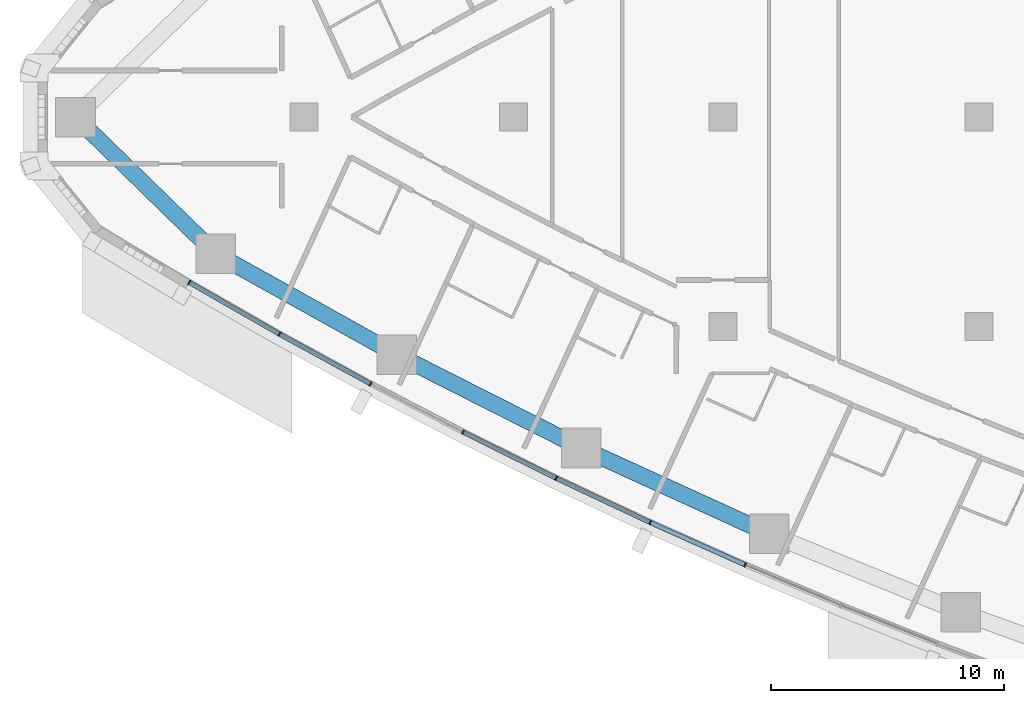
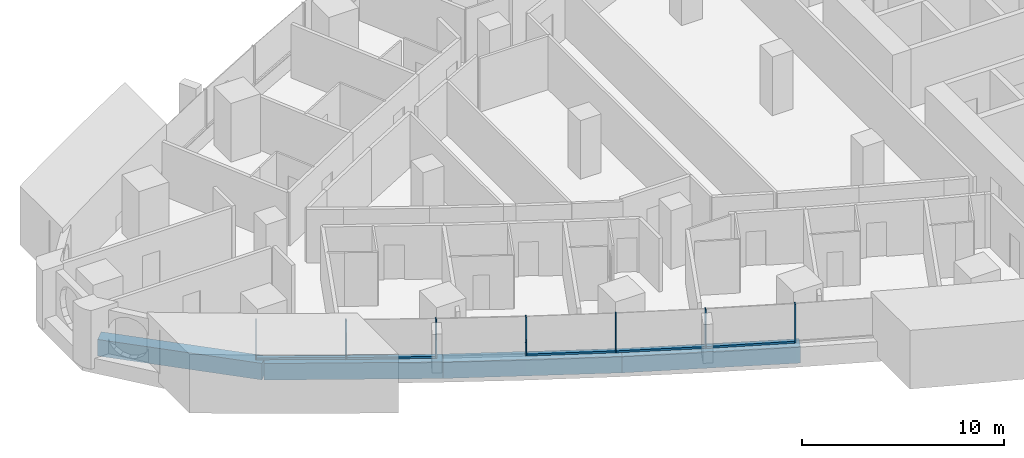
# One storey, part 2 of 17: 12 members, 4 beams, 3 elements without a shape of their own.
"""IFC4 building model written with IfcOpenShell, lengths in metres."""

from ifc_helpers import new_model, si_unit, direction, frame, origin, origin_2d, place, context, subcontext, project, spatial, rectangle, extrude, material, layer, layer_set, material_profile, profile_set, type_object, element, aggregate, save


model = new_model("IFC4")

# Units and contexts
model_context = context("Model", 3, precision=1e-05, world=origin(), true_north=direction((0.0, 1.0)))
body_context = subcontext(model_context, "Body", "Model", "MODEL_VIEW")
ifc_project = project(units=[si_unit("LENGTHUNIT", "METRE"), si_unit("AREAUNIT", "SQUARE_METRE"), si_unit("VOLUMEUNIT", "CUBIC_METRE"), si_unit("PLANEANGLEUNIT", "RADIAN"), si_unit("MASSUNIT", "GRAM", prefix="KILO")], contexts=[model_context])

# Site, building, storey
site_placement = place(None, origin())
site = spatial("IfcSite", under=ifc_project, at=site_placement, CompositionType="ELEMENT")
building_placement = place(site_placement, origin())
building = spatial("IfcBuilding", under=site, at=building_placement, Name="Ostrand Prow Hotel Tower", CompositionType="ELEMENT")
storey_placement = place(building_placement, frame((0.0, 0.0, 102.64990234375)))
storey = spatial("IfcBuildingStorey", under=building, at=storey_placement, Name="L24", CompositionType="ELEMENT", Elevation=102.64990234375)

# Beams
ifc_material_1 = material(Name="Concrete C80/95", Category="concrete")
ifc_material_profile_1 = material_profile(ifc_material_1, rectangle(XDim=0.699951171875, YDim=1.0, at=origin_2d()), Name="RC 700x1000")
ifc_profile_set_1 = profile_set([ifc_material_profile_1], Name="Concrete C80/95")
beam_type = type_object("IfcBeamType", Name="Edge beam 700x1000 C80/95", PredefinedType="SPANDREL", material=ifc_profile_set_1)
beam_1_placement = place(storey_placement, frame((6.193115234375, 0.0, -0.7998046875), z_axis=(0.716082759826, -0.698015387423, 0.0), x_axis=(0.698015387423, 0.716082759826, 0.0)))
element("IfcBeam", 1, at=beam_1_placement, inside=storey, type_object=beam_type, Name="Edge beam P-S1", PredefinedType="SPANDREL", context=body_context, shape_type="SweptSolid", body=[
    extrude(rectangle(XDim=0.699951171875, YDim=1.0, at=origin_2d()), origin(), (0.0, 0.0, 1.0), 8.41845703125),
])
beam_2_placement = place(storey_placement, frame((12.221435546875, -5.876220703125, -0.7998046875), z_axis=(0.873452439955, -0.486909473245, 0.0), x_axis=(0.486909473245, 0.873452439955, 0.0)))
element("IfcBeam", 2, at=beam_2_placement, inside=storey, type_object=beam_type, Name="Edge beam S1-S2", PredefinedType="SPANDREL", context=body_context, shape_type="SweptSolid", body=[
    extrude(rectangle(XDim=0.699951171875, YDim=1.0, at=origin_2d()), origin(), (0.0, 0.0, 1.0), 8.883544921875),
])
beam_3_placement = place(storey_placement, frame((19.980712890625, -10.20166015625, -0.7998046875), z_axis=(0.892284288592, -0.451473973039, 0.0), x_axis=(0.451473973039, 0.892284288592, 0.0)))
element("IfcBeam", 3, at=beam_3_placement, inside=storey, type_object=beam_type, Name="Edge beam S2-S3", PredefinedType="SPANDREL", context=body_context, shape_type="SweptSolid", body=[
    extrude(rectangle(XDim=0.699951171875, YDim=1.0, at=origin_2d()), origin(), (0.0, 0.0, 1.0), 8.883056640625),
])
beam_4_placement = place(storey_placement, frame((27.906982421875, -14.212158203125, -0.7998046875), z_axis=(0.909681006953, -0.415307675813, 0.0), x_axis=(0.415307675813, 0.909681006953, 0.0)))
element("IfcBeam", 4, at=beam_4_placement, inside=storey, type_object=beam_type, Name="Edge beam S3-S4", PredefinedType="SPANDREL", context=body_context, shape_type="SweptSolid", body=[
    extrude(rectangle(XDim=0.699951171875, YDim=1.0, at=origin_2d()), origin(), (0.0, 0.0, 1.0), 8.883544921875),
])

# Curtain wall, members
ifc_material_2 = material(Name="Insulated glass in bronze anodised frame", Category="glass")
ifc_layer = layer(ifc_material_2, 0.199951171875)
ifc_layer_set = layer_set([ifc_layer], Name="Insulated glass in bronze anodised frame")
curtain_wall_type = type_object("IfcCurtainWallType", Name="Strip curtain wall, fritted glass over bronze spandrel", PredefinedType="NOTDEFINED", material=ifc_layer_set)
curtain_wall_1_placement = place(storey_placement, origin())
curtain_wall_1 = element("IfcCurtainWall", 5, at=curtain_wall_1_placement, inside=storey, type_object=curtain_wall_type, Name="CW1 run CWS1", PredefinedType="NOTDEFINED")
ifc_material_3 = material(Name="Bronze anodised aluminium", Category="aluminium")
ifc_material_profile_2 = material_profile(ifc_material_3, rectangle(XDim=0.199951171875, YDim=0.06005859375, at=origin_2d()), Name="Mullion 60x200 bronze anodised aluminium")
ifc_profile_set_2 = profile_set([ifc_material_profile_2], Name="Bronze anodised aluminium")
member_type_1 = type_object("IfcMemberType", Name="Mullion 60x200 bronze anodised aluminium", PredefinedType="MULLION", material=ifc_profile_set_2)
member_1_placement = place(storey_placement, frame((11.076416015625, -7.099853515625, 0.900146484375), z_axis=(0.0, 0.0, 1.0), x_axis=(0.497114806368, 0.867684775301, 0.0)))
member_1 = element("IfcMember", 6, at=member_1_placement, type_object=member_type_1, Name="CW1 mullion 1", PredefinedType="MULLION", context=body_context, shape_type="SweptSolid", body=[
    extrude(rectangle(XDim=0.199951171875, YDim=0.06005859375, at=origin_2d()), origin(), (0.0, 0.0, 1.0), 2.349853515625),
])
member_2_placement = place(storey_placement, frame((14.951416015625, -9.320068359375, 0.900146484375), z_axis=(0.0, 0.0, 1.0), x_axis=(0.479637052103, 0.877466978439, 0.0)))
member_2 = element("IfcMember", 7, at=member_2_placement, type_object=member_type_1, Name="CW1 mullion 2", PredefinedType="MULLION", context=body_context, shape_type="SweptSolid", body=[
    extrude(rectangle(XDim=0.199951171875, YDim=0.06005859375, at=origin_2d()), origin(), (0.0, 0.0, 1.0), 2.349853515625),
])
member_3_placement = place(storey_placement, frame((18.870361328125, -11.4619140625, 0.900146484375), z_axis=(0.0, 0.0, 1.0), x_axis=(0.479637052103, 0.877466978439, 0.0)))
member_3 = element("IfcMember", 8, at=member_3_placement, type_object=member_type_1, Name="CW1 mullion 3", PredefinedType="MULLION", context=body_context, shape_type="SweptSolid", body=[
    extrude(rectangle(XDim=0.199951171875, YDim=0.06005859375, at=origin_2d()), origin(), (0.0, 0.0, 1.0), 2.349853515625),
])

curtain_wall_2_placement = place(storey_placement, origin())
curtain_wall_2 = element("IfcCurtainWall", 9, at=curtain_wall_2_placement, inside=storey, type_object=curtain_wall_type, Name="CW1 run CWS2", PredefinedType="NOTDEFINED")
member_4_placement = place(storey_placement, frame((22.831298828125, -13.525146484375, 0.900146484375), z_axis=(0.0, 0.0, 1.0), x_axis=(0.44411295748, 0.895970803653, 0.0)))
member_4 = element("IfcMember", 10, at=member_4_placement, type_object=member_type_1, Name="CW1 mullion 2", PredefinedType="MULLION", context=body_context, shape_type="SweptSolid", body=[
    extrude(rectangle(XDim=0.199951171875, YDim=0.06005859375, at=origin_2d()), origin(), (0.0, 0.0, 1.0), 2.349853515625),
])
member_5_placement = place(storey_placement, frame((26.83251953125, -15.508544921875, 0.900146484375), z_axis=(0.0, 0.0, 1.0), x_axis=(0.44411295748, 0.895970803653, 0.0)))
member_5 = element("IfcMember", 11, at=member_5_placement, type_object=member_type_1, Name="CW1 mullion 3", PredefinedType="MULLION", context=body_context, shape_type="SweptSolid", body=[
    extrude(rectangle(XDim=0.199951171875, YDim=0.06005859375, at=origin_2d()), origin(), (0.0, 0.0, 1.0), 2.349853515625),
])

curtain_wall_3_placement = place(storey_placement, origin())
curtain_wall_3 = element("IfcCurtainWall", 12, at=curtain_wall_3_placement, inside=storey, type_object=curtain_wall_type, Name="CW1 run CWS3", PredefinedType="NOTDEFINED")
member_6_placement = place(storey_placement, frame((30.872802734375, -17.41162109375, 0.900146484375), z_axis=(0.0, 0.0, 1.0), x_axis=(0.407874755419, 0.913037887435, 0.0)))
member_6 = element("IfcMember", 13, at=member_6_placement, type_object=member_type_1, Name="CW1 mullion 2", PredefinedType="MULLION", context=body_context, shape_type="SweptSolid", body=[
    extrude(rectangle(XDim=0.199951171875, YDim=0.06005859375, at=origin_2d()), origin(), (0.0, 0.0, 1.0), 2.349853515625),
])
member_7_placement = place(storey_placement, frame((34.95068359375, -19.233154296875, 0.900146484375), z_axis=(0.0, 0.0, 1.0), x_axis=(0.407874755419, 0.913037887435, 0.0)))
member_7 = element("IfcMember", 14, at=member_7_placement, type_object=member_type_1, Name="CW1 mullion 3", PredefinedType="MULLION", context=body_context, shape_type="SweptSolid", body=[
    extrude(rectangle(XDim=0.199951171875, YDim=0.06005859375, at=origin_2d()), origin(), (0.0, 0.0, 1.0), 2.349853515625),
])

# Member
ifc_material_4 = material(Name="Bronze anodised aluminium", Category="aluminium")
ifc_material_profile_3 = material_profile(ifc_material_4, rectangle(XDim=0.199951171875, YDim=0.1201171875, at=origin_2d()), Name="Transom 120x200 bronze anodised aluminium")
ifc_profile_set_3 = profile_set([ifc_material_profile_3], Name="Bronze anodised aluminium")
member_type_2 = type_object("IfcMemberType", Name="Transom 120x200 bronze anodised aluminium", PredefinedType="USERDEFINED", material=ifc_profile_set_3)
member_8_placement = place(storey_placement, frame((11.1025390625, -7.11474609375, 0.960205078125), z_axis=(0.86766970623, -0.497141107625, 0.0), x_axis=(0.497141107625, 0.86766970623, 0.0)))
member_8 = element("IfcMember", 15, at=member_8_placement, type_object=member_type_2, Name="CW1 transom 1.1", ObjectType="TRANSOM", PredefinedType="USERDEFINED", context=body_context, shape_type="SweptSolid", body=[
    extrude(rectangle(XDim=0.199951171875, YDim=0.1201171875, at=origin_2d()), origin(), (0.0, 0.0, 1.0), 4.406005859375),
])

member_9_placement = place(storey_placement, frame((14.977783203125, -9.33447265625, 0.960205078125), z_axis=(0.877471714137, -0.479628388328, 0.0), x_axis=(0.479628388328, 0.877471714137, 0.0)))
member_9 = element("IfcMember", 16, at=member_9_placement, type_object=member_type_2, Name="CW1 transom 2.1", ObjectType="TRANSOM", PredefinedType="USERDEFINED", context=body_context, shape_type="SweptSolid", body=[
    extrude(rectangle(XDim=0.199951171875, YDim=0.1201171875, at=origin_2d()), origin(), (0.0, 0.0, 1.0), 4.406005859375),
])

aggregate(curtain_wall_1, [member_1, member_2, member_3, member_8, member_9])

member_10_placement = place(storey_placement, frame((22.858154296875, -13.53857421875, 0.960205078125), z_axis=(0.895962348168, -0.444130015497, 0.0), x_axis=(0.444130015497, 0.895962348168, 0.0)))
member_10 = element("IfcMember", 17, at=member_10_placement, type_object=member_type_2, Name="CW1 transom 2.1", ObjectType="TRANSOM", PredefinedType="USERDEFINED", context=body_context, shape_type="SweptSolid", body=[
    extrude(rectangle(XDim=0.199951171875, YDim=0.1201171875, at=origin_2d()), origin(), (0.0, 0.0, 1.0), 4.406005859375),
])

aggregate(curtain_wall_2, [member_4, member_5, member_10])

member_11_placement = place(storey_placement, frame((26.859619140625, -15.521484375, 0.960205078125), z_axis=(0.904696854963, -0.42605586561, 0.0), x_axis=(0.42605586561, 0.904696854963, 0.0)))
member_11 = element("IfcMember", 18, at=member_11_placement, type_object=member_type_2, Name="CW1 transom 1.1", ObjectType="TRANSOM", PredefinedType="USERDEFINED", context=body_context, shape_type="SweptSolid", body=[
    extrude(rectangle(XDim=0.199951171875, YDim=0.1201171875, at=origin_2d()), origin(), (0.0, 0.0, 1.0), 4.406005859375),
])

member_12_placement = place(storey_placement, frame((30.900390625, -17.423583984375, 0.960205078125), z_axis=(0.913030665163, -0.407890922271, 0.0), x_axis=(0.407890922271, 0.913030665163, 0.0)))
member_12 = element("IfcMember", 19, at=member_12_placement, type_object=member_type_2, Name="CW1 transom 2.1", ObjectType="TRANSOM", PredefinedType="USERDEFINED", context=body_context, shape_type="SweptSolid", body=[
    extrude(rectangle(XDim=0.199951171875, YDim=0.1201171875, at=origin_2d()), origin(), (0.0, 0.0, 1.0), 4.40576171875),
])

aggregate(curtain_wall_3, [member_6, member_7, member_11, member_12])

save(model, "model.ifc")
